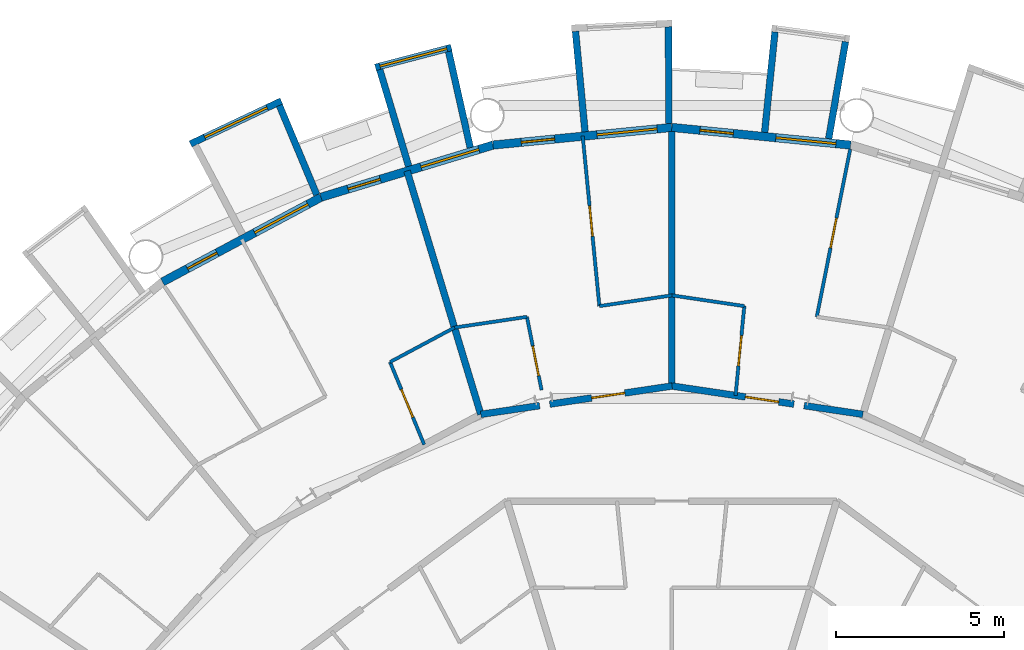
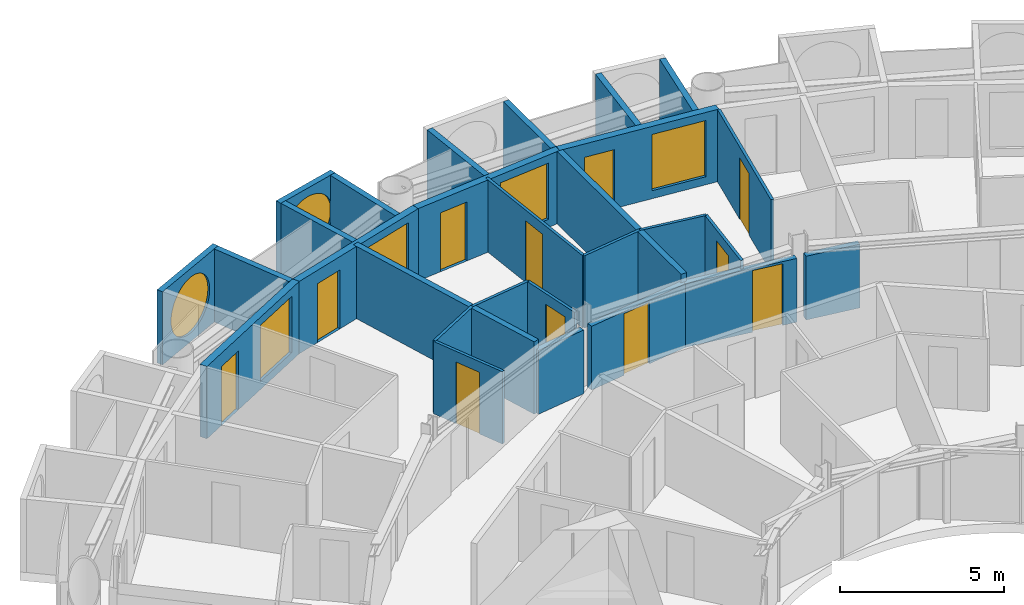
# One storey, part 20 of 26: 28 walls, 11 doors, 6 windows, 17 openings.
"""IFC4 building model written with IfcOpenShell, lengths in metres."""

from ifc_helpers import new_model, si_unit, direction, frame, frame_2d, origin, place, context, subcontext, project, spatial, rectangle, circle, extrude, material, layer, layer_set, type_object, element, fill, save


model = new_model("IFC4")

# Units and contexts
model_context = context("Model", 3, precision=1e-05, world=origin(), true_north=direction((0.0, 1.0)))
body_context = subcontext(model_context, "Body", "Model", "MODEL_VIEW")
ifc_project = project(units=[si_unit("LENGTHUNIT", "METRE"), si_unit("AREAUNIT", "SQUARE_METRE"), si_unit("VOLUMEUNIT", "CUBIC_METRE"), si_unit("PLANEANGLEUNIT", "RADIAN"), si_unit("MASSUNIT", "GRAM", prefix="KILO")], contexts=[model_context])

# Site, building, storey
site_placement = place(None, origin())
site = spatial("IfcSite", under=ifc_project, at=site_placement, CompositionType="ELEMENT")
building_placement = place(site_placement, origin())
building = spatial("IfcBuilding", under=site, at=building_placement, Name="Maasbend Ring Residences", CompositionType="ELEMENT")
storey_placement = place(building_placement, frame((0.0, 0.0, 78.85009765625)))
storey = spatial("IfcBuildingStorey", under=building, at=storey_placement, Name="L22", CompositionType="ELEMENT", Elevation=78.85009765625)

# Wall
ifc_material_1 = material(Name="Concrete C30/37", Category="concrete")
ifc_layer_1 = layer(ifc_material_1, 0.199951171875)
ifc_layer_set_1 = layer_set([ifc_layer_1], Name="Concrete C30/37")
wall_type_1 = type_object("IfcWallType", Name="CORRIDOR WALL 200 CONCRETE", PredefinedType="PARTITIONING", material=ifc_layer_set_1)
wall_1_placement = place(storey_placement, frame((-5.68994140625, 18.756103515625, 0.0), z_axis=(0.0, 0.0, 1.0), x_axis=(0.989265547993, 0.146128968906, 0.0)))
element("IfcWall", 1, at=wall_1_placement, inside=storey, type_object=wall_type_1, Name="U-L22-w110", PredefinedType="PARTITIONING", context=body_context, shape_type="SweptSolid", body=[
    extrude(rectangle(XDim=1.77099609375, YDim=0.199951171875, at=frame_2d((0.885498046875, 0.0))), origin(), (0.0, 0.0, 1.0), 2.3798828125),
])

# Wall, opening, door
wall_2_placement = place(storey_placement, frame((-3.635009765625, 19.06005859375, 0.0), z_axis=(0.0, 0.0, 1.0), x_axis=(0.989179233347, 0.14671211373, 0.0)))
wall_2 = element("IfcWall", 2, at=wall_2_placement, inside=storey, type_object=wall_type_1, Name="U-L22-w111", PredefinedType="PARTITIONING", context=body_context, shape_type="SweptSolid", body=[
    extrude(rectangle(XDim=3.680908203125, YDim=0.199951171875, at=frame_2d((1.84033203125, 0.0))), origin(), (0.0, 0.0, 1.0), 2.3798828125),
])
opening_1_placement = place(wall_2_placement, frame((1.258056640625, 0.0, 0.0)))
opening_1 = element("IfcOpeningElement", 3, at=opening_1_placement, cuts=wall_2, Name="Opening D-2211", PredefinedType="OPENING", context=body_context, shape_type="SweptSolid", body=[
    extrude(rectangle(XDim=1.0, YDim=2.300048828125, at=frame_2d((0.5, 1.14990234375))), frame((0.0, 0.10986328125, 0.0), z_axis=(0.0, -1.0, 0.0), x_axis=(1.0, 0.0, 0.0)), (0.0, 0.0, 1.0), 0.219970703125),
])
ifc_material_2 = material(Name="Timber, fire-rated, painted", Category="wood")
door_type_1 = type_object("IfcDoorType", Name="FLAT ENTRANCE DOOR 1000 X 2300 FIRE-RATED", OperationType="NOTDEFINED", PredefinedType="DOOR", material=ifc_material_2)
door_1_placement = place(opening_1_placement, origin())
door_1 = element("IfcDoor", 4, at=door_1_placement, inside=storey, type_object=door_type_1, Name="D-2211", OperationType="SINGLE_SWING_LEFT", OverallHeight=2.300048828125, OverallWidth=1.0, PredefinedType="DOOR", context=body_context, shape_type="SweptSolid", body=[
    extrude(rectangle(XDim=1.0, YDim=2.300048828125, at=frame_2d((0.5, 1.14990234375))), frame((0.0, 0.02490234375, 0.0), z_axis=(0.0, -1.0, 0.0), x_axis=(1.0, 0.0, 0.0)), (0.0, 0.0, 1.0), 0.050048828125),
])
fill(opening_1, door_1)

wall_3_placement = place(storey_placement, frame((0.0, 19.60009765625, 0.0), z_axis=(0.0, 0.0, 1.0), x_axis=(0.989182049247, -0.146693126787, 0.0)))
wall_3 = element("IfcWall", 5, at=wall_3_placement, inside=storey, type_object=wall_type_1, Name="U-L22-w112", PredefinedType="PARTITIONING", context=body_context, shape_type="SweptSolid", body=[
    extrude(rectangle(XDim=3.6748046875, YDim=0.199951171875, at=frame_2d((1.83740234375, 0.0))), origin(), (0.0, 0.0, 1.0), 2.3798828125),
])
opening_2_placement = place(wall_3_placement, frame((2.216064453125, 0.0, 0.0)))
opening_2 = element("IfcOpeningElement", 6, at=opening_2_placement, cuts=wall_3, Name="Opening D-2208", PredefinedType="OPENING", context=body_context, shape_type="SweptSolid", body=[
    extrude(rectangle(XDim=1.0, YDim=2.300048828125, at=frame_2d((0.5, 1.14990234375))), frame((0.0, 0.10986328125, 0.0), z_axis=(0.0, -1.0, 0.0), x_axis=(1.0, 0.0, 0.0)), (0.0, 0.0, 1.0), 0.219970703125),
])
door_2_placement = place(opening_2_placement, origin())
door_2 = element("IfcDoor", 7, at=door_2_placement, inside=storey, type_object=door_type_1, Name="D-2208", OperationType="SINGLE_SWING_RIGHT", OverallHeight=2.300048828125, OverallWidth=1.0, PredefinedType="DOOR", context=body_context, shape_type="SweptSolid", body=[
    extrude(rectangle(XDim=1.0, YDim=2.300048828125, at=frame_2d((0.5, 1.14990234375))), frame((0.0, 0.02490234375, 0.0), z_axis=(0.0, -1.0, 0.0), x_axis=(1.0, 0.0, 0.0)), (0.0, 0.0, 1.0), 0.050048828125),
])
fill(opening_2, door_2)

# Walls
wall_4_placement = place(storey_placement, frame((3.93896484375, 19.01611328125, 0.0), z_axis=(0.0, 0.0, 1.0), x_axis=(0.989153791914, -0.146883545509, 0.0)))
element("IfcWall", 8, at=wall_4_placement, inside=storey, type_object=wall_type_1, Name="U-L22-w113", PredefinedType="PARTITIONING", context=body_context, shape_type="SweptSolid", body=[
    extrude(rectangle(XDim=1.770263671875, YDim=0.199951171875, at=frame_2d((0.88525390625, 0.0))), origin(), (0.0, 0.0, 1.0), 2.3798828125),
])
ifc_material_3 = material(Name="Pale anodised aluminium panel", Category="aluminium")
ifc_layer_2 = layer(ifc_material_3, 0.199951171875)
ifc_layer_set_2 = layer_set([ifc_layer_2], Name="EW-BOX")
wall_type_2 = type_object("IfcWallType", Name="EW-BOX", PredefinedType="SOLIDWALL", material=ifc_layer_set_2)
wall_5_placement = place(storey_placement, frame((4.6708984375, 26.966064453125, -0.030029296875), z_axis=(0.0, 0.0, 1.0), x_axis=(0.170539878907, 0.985350774954, 0.0)))
element("IfcWall", 9, at=wall_5_placement, inside=storey, type_object=wall_type_2, Name="Box side wall N09 left", PredefinedType="SOLIDWALL", context=body_context, shape_type="SweptSolid", body=[
    extrude(rectangle(XDim=2.931884765625, YDim=0.199951171875, at=frame_2d((1.4658203125, 0.0))), origin(), (0.0, 0.0, 1.0), 2.72998046875),
])
wall_6_placement = place(storey_placement, frame((2.763916015625, 27.153076171875, -0.030029296875), z_axis=(0.0, 0.0, 1.0), x_axis=(0.101505487237, 0.994834979311, 0.0)))
element("IfcWall", 10, at=wall_6_placement, inside=storey, type_object=wall_type_2, Name="Box side wall N09 right", PredefinedType="SOLIDWALL", context=body_context, shape_type="SweptSolid", body=[
    extrude(rectangle(XDim=3.006591796875, YDim=0.199951171875, at=frame_2d((1.50341796875, 0.0))), origin(), (0.0, 0.0, 1.0), 2.72998046875),
])
wall_7_placement = place(storey_placement, frame((-0.090087890625, 27.4169921875, -0.030029296875), z_axis=(0.0, 0.0, 1.0), x_axis=(-0.00347308367, 0.999993968827, 0.0)))
element("IfcWall", 11, at=wall_7_placement, inside=storey, type_object=wall_type_2, Name="Box side wall N11 left", PredefinedType="SOLIDWALL", context=body_context, shape_type="SweptSolid", body=[
    extrude(rectangle(XDim=2.882080078125, YDim=0.199951171875, at=frame_2d((1.44091796875, 0.0))), origin(), (0.0, 0.0, 1.0), 2.72998046875),
])
wall_8_placement = place(storey_placement, frame((-2.5859375, 27.1708984375, -0.030029296875), z_axis=(0.0, 0.0, 1.0), x_axis=(-0.094548432284, 0.995520262954, 0.0)))
element("IfcWall", 12, at=wall_8_placement, inside=storey, type_object=wall_type_2, Name="Box side wall N11 right", PredefinedType="SOLIDWALL", context=body_context, shape_type="SweptSolid", body=[
    extrude(rectangle(XDim=3.005615234375, YDim=0.199951171875, at=frame_2d((1.5029296875, 0.0))), origin(), (0.0, 0.0, 1.0), 2.72998046875),
])

# Wall, opening, window
wall_9_placement = place(storey_placement, frame((-6.568115234375, 29.681884765625, -0.030029296875), z_axis=(0.0, 0.0, 1.0), x_axis=(-0.967377102346, -0.253340762326, 0.0)))
wall_9 = element("IfcWall", 13, at=wall_9_placement, inside=storey, type_object=wall_type_2, Name="Box front N13", PredefinedType="SOLIDWALL", context=body_context, shape_type="SweptSolid", body=[
    extrude(rectangle(XDim=2.3359375, YDim=0.199951171875, at=frame_2d((1.16796875, 0.0))), origin(), (0.0, 0.0, 1.0), 2.72998046875),
])
opening_3_placement = place(wall_9_placement, frame((0.128173828125, 0.0, 0.330078125)))
opening_3 = element("IfcOpeningElement", 14, at=opening_3_placement, cuts=wall_9, Name="Opening W-RD", PredefinedType="OPENING", context=body_context, shape_type="SweptSolid", body=[
    extrude(circle(Radius=1.0400390625, at=frame_2d((1.0400390625, 1.0400390625))), frame((0.0, 0.10986328125, 0.0), z_axis=(0.0, -1.0, 0.0), x_axis=(1.0, 0.0, 0.0)), (0.0, 0.0, 1.0), 0.219970703125),
])
ifc_material_4 = material(Name="Aluminium and clear glass", Category="aluminium")
window_type_1 = type_object("IfcWindowType", Name="W-RD", PartitioningType="SINGLE_PANEL", PredefinedType="WINDOW", material=ifc_material_4)
window_1_placement = place(opening_3_placement, origin())
window_1 = element("IfcWindow", 15, at=window_1_placement, inside=storey, type_object=window_type_1, Name="Round window N13", OverallHeight=2.080078125, OverallWidth=2.080078125, PartitioningType="SINGLE_PANEL", PredefinedType="WINDOW", context=body_context, shape_type="SweptSolid", body=[
    extrude(circle(Radius=1.0400390625, at=frame_2d((1.0400390625, 1.0400390625))), frame((0.0, 0.030029296875, 0.0), z_axis=(0.0, -1.0, 0.0), x_axis=(1.0, 0.0, 0.0)), (0.0, 0.0, 1.0), 0.06005859375),
])
fill(opening_3, window_1)

# Walls
wall_10_placement = place(storey_placement, frame((-6.00390625, 26.699951171875, -0.030029296875), z_axis=(0.0, 0.0, 1.0), x_axis=(-0.219609259383, 0.975587911566, 0.0)))
element("IfcWall", 16, at=wall_10_placement, inside=storey, type_object=wall_type_2, Name="Box side wall N13 left", PredefinedType="SOLIDWALL", context=body_context, shape_type="SweptSolid", body=[
    extrude(rectangle(XDim=2.9326171875, YDim=0.199951171875, at=frame_2d((1.46630859375, 0.0))), origin(), (0.0, 0.0, 1.0), 2.72998046875),
])
wall_11_placement = place(storey_placement, frame((-7.8369140625, 26.14404296875, -0.030029296875), z_axis=(0.0, 0.0, 1.0), x_axis=(-0.287064767992, 0.957911174889, 0.0)))
element("IfcWall", 17, at=wall_11_placement, inside=storey, type_object=wall_type_2, Name="Box side wall N13 right", PredefinedType="SOLIDWALL", context=body_context, shape_type="SweptSolid", body=[
    extrude(rectangle(XDim=3.00634765625, YDim=0.199951171875, at=frame_2d((1.503173828125, 0.0))), origin(), (0.0, 0.0, 1.0), 2.72998046875),
])

# Wall, opening, window
wall_12_placement = place(storey_placement, frame((-11.62890625, 28.087890625, -0.030029296875), z_axis=(0.0, 0.0, 1.0), x_axis=(-0.904000060331, -0.427532327342, 0.0)))
wall_12 = element("IfcWall", 18, at=wall_12_placement, inside=storey, type_object=wall_type_2, Name="Box front N15", PredefinedType="SOLIDWALL", context=body_context, shape_type="SweptSolid", body=[
    extrude(rectangle(XDim=2.993408203125, YDim=0.199951171875, at=frame_2d((1.49658203125, 0.0))), origin(), (0.0, 0.0, 1.0), 2.72998046875),
])
opening_4_placement = place(wall_12_placement, frame((0.45654296875, 0.0, 0.330078125)))
opening_4 = element("IfcOpeningElement", 19, at=opening_4_placement, cuts=wall_12, Name="Opening W-RD", PredefinedType="OPENING", context=body_context, shape_type="SweptSolid", body=[
    extrude(circle(Radius=1.0400390625, at=frame_2d((1.0400390625, 1.0400390625))), frame((0.0, 0.10986328125, 0.0), z_axis=(0.0, -1.0, 0.0), x_axis=(1.0, 0.0, 0.0)), (0.0, 0.0, 1.0), 0.219970703125),
])
window_2_placement = place(opening_4_placement, origin())
window_2 = element("IfcWindow", 20, at=window_2_placement, inside=storey, type_object=window_type_1, Name="Round window N15", OverallHeight=2.080078125, OverallWidth=2.080078125, PartitioningType="SINGLE_PANEL", PredefinedType="WINDOW", context=body_context, shape_type="SweptSolid", body=[
    extrude(circle(Radius=1.0400390625, at=frame_2d((1.0400390625, 1.0400390625))), frame((0.0, 0.030029296875, 0.0), z_axis=(0.0, -1.0, 0.0), x_axis=(1.0, 0.0, 0.0)), (0.0, 0.0, 1.0), 0.06005859375),
])
fill(opening_4, window_2)

# Wall
wall_13_placement = place(storey_placement, frame((-10.574951171875, 25.294921875, -0.030029296875), z_axis=(0.0, 0.0, 1.0), x_axis=(-0.385697364644, 0.922625353492, 0.0)))
element("IfcWall", 21, at=wall_13_placement, inside=storey, type_object=wall_type_2, Name="Box side wall N15 left", PredefinedType="SOLIDWALL", context=body_context, shape_type="SweptSolid", body=[
    extrude(rectangle(XDim=2.88330078125, YDim=0.199951171875, at=frame_2d((1.441650390625, 0.0))), origin(), (0.0, 0.0, 1.0), 2.72998046875),
])

# Wall, openings, door, window
ifc_material_5 = material(Name="Aluminium clad insulated panel", Category="aluminium")
ifc_layer_3 = layer(ifc_material_5, 0.25)
ifc_layer_set_3 = layer_set([ifc_layer_3], Name="EW-GL")
wall_type_3 = type_object("IfcWallType", Name="EW-GL", PredefinedType="SOLIDWALL", material=ifc_layer_set_3)
wall_14_placement = place(storey_placement, frame((5.325927734375, 26.77490234375, 0.0), z_axis=(0.0, 0.0, 1.0), x_axis=(-0.995173996315, 0.098126026407, 0.0)))
wall_14 = element("IfcWall", 22, at=wall_14_placement, inside=storey, type_object=wall_type_3, Name="External wall N05", PredefinedType="SOLIDWALL", context=body_context, shape_type="SweptSolid", body=[
    extrude(rectangle(XDim=5.351806640625, YDim=0.25, at=frame_2d((2.67578125, 0.0))), origin(), (0.0, 0.0, 1.0), 2.699951171875),
])
opening_5_placement = place(wall_14_placement, frame((0.441162109375, 0.0, 0.300048828125)))
opening_5 = element("IfcOpeningElement", 23, at=opening_5_placement, cuts=wall_14, Name="Opening W-BX", PredefinedType="OPENING", context=body_context, shape_type="SweptSolid", body=[
    extrude(rectangle(XDim=1.800048828125, YDim=2.10009765625, at=frame_2d((0.89990234375, 1.050048828125))), frame((0.0, 0.135009765625, 0.0), z_axis=(0.0, -1.0, 0.0), x_axis=(1.0, 0.0, 0.0)), (0.0, 0.0, 1.0), 0.27001953125),
])
opening_6_placement = place(wall_14_placement, frame((3.510498046875, 0.0, 0.0)))
opening_6 = element("IfcOpeningElement", 24, at=opening_6_placement, cuts=wall_14, Name="Opening D-LG", PredefinedType="OPENING", context=body_context, shape_type="SweptSolid", body=[
    extrude(rectangle(XDim=1.0, YDim=2.199951171875, at=frame_2d((0.5, 1.10009765625))), frame((0.0, 0.135009765625, 0.0), z_axis=(0.0, -1.0, 0.0), x_axis=(1.0, 0.0, 0.0)), (0.0, 0.0, 1.0), 0.27001953125),
])
ifc_material_6 = material(Name="Aluminium and clear glass", Category="aluminium")
door_type_2 = type_object("IfcDoorType", Name="D-LG", OperationType="SINGLE_SWING_LEFT", PredefinedType="DOOR", material=ifc_material_6)
door_3_placement = place(opening_6_placement, origin())
door_3 = element("IfcDoor", 25, at=door_3_placement, inside=storey, type_object=door_type_2, Name="Loggia door N10", OperationType="SINGLE_SWING_LEFT", OverallHeight=2.199951171875, OverallWidth=1.0, PredefinedType="DOOR", context=body_context, shape_type="SweptSolid", body=[
    extrude(rectangle(XDim=1.0, YDim=2.199951171875, at=frame_2d((0.5, 1.10009765625))), frame((0.0, 0.02490234375, 0.0), z_axis=(0.0, -1.0, 0.0), x_axis=(1.0, 0.0, 0.0)), (0.0, 0.0, 1.0), 0.050048828125),
])
fill(opening_6, door_3)
ifc_material_7 = material(Name="Aluminium and clear glass", Category="aluminium")
window_type_2 = type_object("IfcWindowType", Name="W-BX", PartitioningType="DOUBLE_PANEL_VERTICAL", PredefinedType="WINDOW", material=ifc_material_7)
window_3_placement = place(opening_5_placement, origin())
window_3 = element("IfcWindow", 26, at=window_3_placement, inside=storey, type_object=window_type_2, Name="Window N09 room to box", OverallHeight=2.10009765625, OverallWidth=1.800048828125, PartitioningType="SINGLE_PANEL", PredefinedType="WINDOW", context=body_context, shape_type="SweptSolid", body=[
    extrude(rectangle(XDim=1.800048828125, YDim=2.10009765625, at=frame_2d((0.89990234375, 1.050048828125))), frame((0.0, 0.030029296875, 0.0), z_axis=(0.0, -1.0, 0.0), x_axis=(1.0, 0.0, 0.0)), (0.0, 0.0, 1.0), 0.06005859375),
])
fill(opening_5, window_3)

wall_15_placement = place(storey_placement, frame((0.0, 27.300048828125, 0.0), z_axis=(0.0, 0.0, 1.0), x_axis=(-0.995173996315, -0.098126026407, 0.0)))
wall_15 = element("IfcWall", 27, at=wall_15_placement, inside=storey, type_object=wall_type_3, Name="External wall N06", PredefinedType="SOLIDWALL", context=body_context, shape_type="SweptSolid", body=[
    extrude(rectangle(XDim=5.351806640625, YDim=0.25, at=frame_2d((2.67578125, 0.0))), origin(), (0.0, 0.0, 1.0), 2.699951171875),
])
opening_7_placement = place(wall_15_placement, frame((0.441162109375, 0.0, 0.300048828125)))
opening_7 = element("IfcOpeningElement", 28, at=opening_7_placement, cuts=wall_15, Name="Opening W-BX", PredefinedType="OPENING", context=body_context, shape_type="SweptSolid", body=[
    extrude(rectangle(XDim=1.800048828125, YDim=2.10009765625, at=frame_2d((0.89990234375, 1.050048828125))), frame((0.0, 0.135009765625, 0.0), z_axis=(0.0, -1.0, 0.0), x_axis=(1.0, 0.0, 0.0)), (0.0, 0.0, 1.0), 0.27001953125),
])
opening_8_placement = place(wall_15_placement, frame((3.510498046875, 0.0, 0.0)))
opening_8 = element("IfcOpeningElement", 29, at=opening_8_placement, cuts=wall_15, Name="Opening D-LG", PredefinedType="OPENING", context=body_context, shape_type="SweptSolid", body=[
    extrude(rectangle(XDim=1.0, YDim=2.199951171875, at=frame_2d((0.5, 1.10009765625))), frame((0.0, 0.135009765625, 0.0), z_axis=(0.0, -1.0, 0.0), x_axis=(1.0, 0.0, 0.0)), (0.0, 0.0, 1.0), 0.27001953125),
])
door_4_placement = place(opening_8_placement, origin())
door_4 = element("IfcDoor", 30, at=door_4_placement, inside=storey, type_object=door_type_2, Name="Loggia door N12", OperationType="SINGLE_SWING_LEFT", OverallHeight=2.199951171875, OverallWidth=1.0, PredefinedType="DOOR", context=body_context, shape_type="SweptSolid", body=[
    extrude(rectangle(XDim=1.0, YDim=2.199951171875, at=frame_2d((0.5, 1.10009765625))), frame((0.0, 0.02490234375, 0.0), z_axis=(0.0, -1.0, 0.0), x_axis=(1.0, 0.0, 0.0)), (0.0, 0.0, 1.0), 0.050048828125),
])
fill(opening_8, door_4)
window_4_placement = place(opening_7_placement, origin())
window_4 = element("IfcWindow", 31, at=window_4_placement, inside=storey, type_object=window_type_2, Name="Window N11 room to box", OverallHeight=2.10009765625, OverallWidth=1.800048828125, PartitioningType="SINGLE_PANEL", PredefinedType="WINDOW", context=body_context, shape_type="SweptSolid", body=[
    extrude(rectangle(XDim=1.800048828125, YDim=2.10009765625, at=frame_2d((0.89990234375, 1.050048828125))), frame((0.0, 0.030029296875, 0.0), z_axis=(0.0, -1.0, 0.0), x_axis=(1.0, 0.0, 0.0)), (0.0, 0.0, 1.0), 0.06005859375),
])
fill(opening_7, window_4)

wall_16_placement = place(storey_placement, frame((-5.325927734375, 26.77490234375, 0.0), z_axis=(0.0, 0.0, 1.0), x_axis=(-0.956965678721, -0.290201119486, 0.0)))
wall_16 = element("IfcWall", 32, at=wall_16_placement, inside=storey, type_object=wall_type_3, Name="External wall N07", PredefinedType="SOLIDWALL", context=body_context, shape_type="SweptSolid", body=[
    extrude(rectangle(XDim=5.351318359375, YDim=0.25, at=frame_2d((2.67578125, 0.0))), origin(), (0.0, 0.0, 1.0), 2.699951171875),
])
opening_9_placement = place(wall_16_placement, frame((0.441162109375, 0.0, 0.300048828125)))
opening_9 = element("IfcOpeningElement", 33, at=opening_9_placement, cuts=wall_16, Name="Opening W-BX", PredefinedType="OPENING", context=body_context, shape_type="SweptSolid", body=[
    extrude(rectangle(XDim=1.800048828125, YDim=2.10009765625, at=frame_2d((0.89990234375, 1.050048828125))), frame((0.0, 0.135009765625, 0.0), z_axis=(0.0, -1.0, 0.0), x_axis=(1.0, 0.0, 0.0)), (0.0, 0.0, 1.0), 0.27001953125),
])
opening_10_placement = place(wall_16_placement, frame((3.510498046875, 0.0, 0.0)))
opening_10 = element("IfcOpeningElement", 34, at=opening_10_placement, cuts=wall_16, Name="Opening D-LG", PredefinedType="OPENING", context=body_context, shape_type="SweptSolid", body=[
    extrude(rectangle(XDim=1.0, YDim=2.199951171875, at=frame_2d((0.5, 1.10009765625))), frame((0.0, 0.135009765625, 0.0), z_axis=(0.0, -1.0, 0.0), x_axis=(1.0, 0.0, 0.0)), (0.0, 0.0, 1.0), 0.27001953125),
])
door_5_placement = place(opening_10_placement, origin())
door_5 = element("IfcDoor", 35, at=door_5_placement, inside=storey, type_object=door_type_2, Name="Loggia door N14", OperationType="SINGLE_SWING_LEFT", OverallHeight=2.199951171875, OverallWidth=1.0, PredefinedType="DOOR", context=body_context, shape_type="SweptSolid", body=[
    extrude(rectangle(XDim=1.0, YDim=2.199951171875, at=frame_2d((0.5, 1.10009765625))), frame((0.0, 0.02490234375, 0.0), z_axis=(0.0, -1.0, 0.0), x_axis=(1.0, 0.0, 0.0)), (0.0, 0.0, 1.0), 0.050048828125),
])
fill(opening_10, door_5)
window_5_placement = place(opening_9_placement, origin())
window_5 = element("IfcWindow", 36, at=window_5_placement, inside=storey, type_object=window_type_2, Name="Window N13 room to box", OverallHeight=2.10009765625, OverallWidth=1.800048828125, PartitioningType="SINGLE_PANEL", PredefinedType="WINDOW", context=body_context, shape_type="SweptSolid", body=[
    extrude(rectangle(XDim=1.800048828125, YDim=2.10009765625, at=frame_2d((0.89990234375, 1.050048828125))), frame((0.0, 0.030029296875, 0.0), z_axis=(0.0, -1.0, 0.0), x_axis=(1.0, 0.0, 0.0)), (0.0, 0.0, 1.0), 0.06005859375),
])
fill(opening_9, window_5)

wall_17_placement = place(storey_placement, frame((-10.447021484375, 25.221923828125, 0.0), z_axis=(0.0, 0.0, 1.0), x_axis=(-0.881915646801, -0.471407246368, 0.0)))
wall_17 = element("IfcWall", 37, at=wall_17_placement, inside=storey, type_object=wall_type_3, Name="External wall N08", PredefinedType="SOLIDWALL", context=body_context, shape_type="SweptSolid", body=[
    extrude(rectangle(XDim=5.35205078125, YDim=0.25, at=frame_2d((2.676025390625, 0.0))), origin(), (0.0, 0.0, 1.0), 2.699951171875),
])
opening_11_placement = place(wall_17_placement, frame((0.441162109375, 0.0, 0.300048828125)))
opening_11 = element("IfcOpeningElement", 38, at=opening_11_placement, cuts=wall_17, Name="Opening W-BX", PredefinedType="OPENING", context=body_context, shape_type="SweptSolid", body=[
    extrude(rectangle(XDim=1.800048828125, YDim=2.10009765625, at=frame_2d((0.89990234375, 1.050048828125))), frame((0.0, 0.135009765625, 0.0), z_axis=(0.0, -1.0, 0.0), x_axis=(1.0, 0.0, 0.0)), (0.0, 0.0, 1.0), 0.27001953125),
])
opening_12_placement = place(wall_17_placement, frame((3.510498046875, 0.0, 0.0)))
opening_12 = element("IfcOpeningElement", 39, at=opening_12_placement, cuts=wall_17, Name="Opening D-LG", PredefinedType="OPENING", context=body_context, shape_type="SweptSolid", body=[
    extrude(rectangle(XDim=1.0, YDim=2.199951171875, at=frame_2d((0.5, 1.10009765625))), frame((0.0, 0.135009765625, 0.0), z_axis=(0.0, -1.0, 0.0), x_axis=(1.0, 0.0, 0.0)), (0.0, 0.0, 1.0), 0.27001953125),
])
door_6_placement = place(opening_12_placement, origin())
door_6 = element("IfcDoor", 40, at=door_6_placement, inside=storey, type_object=door_type_2, Name="Loggia door N16", OperationType="SINGLE_SWING_LEFT", OverallHeight=2.199951171875, OverallWidth=1.0, PredefinedType="DOOR", context=body_context, shape_type="SweptSolid", body=[
    extrude(rectangle(XDim=1.0, YDim=2.199951171875, at=frame_2d((0.5, 1.10009765625))), frame((0.0, 0.02490234375, 0.0), z_axis=(0.0, -1.0, 0.0), x_axis=(1.0, 0.0, 0.0)), (0.0, 0.0, 1.0), 0.050048828125),
])
fill(opening_12, door_6)
window_6_placement = place(opening_11_placement, origin())
window_6 = element("IfcWindow", 41, at=window_6_placement, inside=storey, type_object=window_type_2, Name="Window N15 room to box", OverallHeight=2.10009765625, OverallWidth=1.800048828125, PartitioningType="SINGLE_PANEL", PredefinedType="WINDOW", context=body_context, shape_type="SweptSolid", body=[
    extrude(rectangle(XDim=1.800048828125, YDim=2.10009765625, at=frame_2d((0.89990234375, 1.050048828125))), frame((0.0, 0.030029296875, 0.0), z_axis=(0.0, -1.0, 0.0), x_axis=(1.0, 0.0, 0.0)), (0.0, 0.0, 1.0), 0.06005859375),
])
fill(opening_11, window_6)

# Wall, opening, door
ifc_material_8 = material(Name="Gypsum board on steel studs", Category="steel")
ifc_layer_4 = layer(ifc_material_8, 0.10009765625)
ifc_layer_set_4 = layer_set([ifc_layer_4], Name="PARTITION 100 GYPSUM")
wall_type_4 = type_object("IfcWallType", Name="PARTITION 100 GYPSUM", PredefinedType="PARTITIONING", material=ifc_layer_set_4)
wall_18_placement = place(storey_placement, frame((-8.39208984375, 20.31396484375, 0.0), z_axis=(0.0, 0.0, 1.0), x_axis=(0.38190329031, -0.924202292169, 0.0)))
wall_18 = element("IfcWall", 42, at=wall_18_placement, inside=storey, type_object=wall_type_4, Name="U-L22-w053", PredefinedType="PARTITIONING", context=body_context, shape_type="SweptSolid", body=[
    extrude(rectangle(XDim=2.66064453125, YDim=0.10009765625, at=frame_2d((1.330322265625, 0.0))), origin(), (0.0, 0.0, 1.0), 2.699951171875),
])
opening_13_placement = place(wall_18_placement, frame((0.8798828125, 0.0, 0.0)))
opening_13 = element("IfcOpeningElement", 43, at=opening_13_placement, cuts=wall_18, Name="Opening D-2215", PredefinedType="OPENING", context=body_context, shape_type="SweptSolid", body=[
    extrude(rectangle(XDim=0.89990234375, YDim=2.300048828125, at=frame_2d((0.449951171875, 1.14990234375))), frame((0.0, 0.06005859375, 0.0), z_axis=(0.0, -1.0, 0.0), x_axis=(1.0, 0.0, 0.0)), (0.0, 0.0, 1.0), 0.1201171875),
])
ifc_material_9 = material(Name="Timber, painted", Category="wood")
door_type_3 = type_object("IfcDoorType", Name="INTERNAL DOOR 900 X 2300", OperationType="NOTDEFINED", PredefinedType="DOOR", material=ifc_material_9)
door_7_placement = place(opening_13_placement, origin())
door_7 = element("IfcDoor", 44, at=door_7_placement, inside=storey, type_object=door_type_3, Name="D-2215", OperationType="SINGLE_SWING_RIGHT", OverallHeight=2.300048828125, OverallWidth=0.89990234375, PredefinedType="DOOR", context=body_context, shape_type="SweptSolid", body=[
    extrude(rectangle(XDim=0.89990234375, YDim=2.300048828125, at=frame_2d((0.449951171875, 1.14990234375))), frame((0.0, 0.02490234375, 0.0), z_axis=(0.0, -1.0, 0.0), x_axis=(1.0, 0.0, 0.0)), (0.0, 0.0, 1.0), 0.050048828125),
])
fill(opening_13, door_7)

wall_19_placement = place(storey_placement, frame((-4.31591796875, 21.659912109375, 0.0), z_axis=(0.0, 0.0, 1.0), x_axis=(0.195524955938, -0.980698726218, 0.0)))
wall_19 = element("IfcWall", 45, at=wall_19_placement, inside=storey, type_object=wall_type_4, Name="U-L22-w059", PredefinedType="PARTITIONING", context=body_context, shape_type="SweptSolid", body=[
    extrude(rectangle(XDim=2.223876953125, YDim=0.10009765625, at=frame_2d((1.11181640625, 0.0))), origin(), (0.0, 0.0, 1.0), 2.699951171875),
])
opening_14_placement = place(wall_19_placement, frame((0.886962890625, 0.0, 0.0)))
opening_14 = element("IfcOpeningElement", 46, at=opening_14_placement, cuts=wall_19, Name="Opening D-2212", PredefinedType="OPENING", context=body_context, shape_type="SweptSolid", body=[
    extrude(rectangle(XDim=0.89990234375, YDim=2.300048828125, at=frame_2d((0.449951171875, 1.14990234375))), frame((0.0, 0.06005859375, 0.0), z_axis=(0.0, -1.0, 0.0), x_axis=(1.0, 0.0, 0.0)), (0.0, 0.0, 1.0), 0.1201171875),
])
door_8_placement = place(opening_14_placement, origin())
door_8 = element("IfcDoor", 47, at=door_8_placement, inside=storey, type_object=door_type_3, Name="D-2212", OperationType="SINGLE_SWING_RIGHT", OverallHeight=2.300048828125, OverallWidth=0.89990234375, PredefinedType="DOOR", context=body_context, shape_type="SweptSolid", body=[
    extrude(rectangle(XDim=0.89990234375, YDim=2.300048828125, at=frame_2d((0.449951171875, 1.14990234375))), frame((0.0, 0.02490234375, 0.0), z_axis=(0.0, -1.0, 0.0), x_axis=(1.0, 0.0, 0.0)), (0.0, 0.0, 1.0), 0.050048828125),
])
fill(opening_14, door_8)

wall_20_placement = place(storey_placement, frame((-2.655029296875, 27.044921875, 0.0), z_axis=(0.0, 0.0, 1.0), x_axis=(0.097670180016, -0.995218838214, 0.0)))
wall_20 = element("IfcWall", 48, at=wall_20_placement, inside=storey, type_object=wall_type_4, Name="U-L22-w061", PredefinedType="PARTITIONING", context=body_context, shape_type="SweptSolid", body=[
    extrude(rectangle(XDim=5.08935546875, YDim=0.10009765625, at=frame_2d((2.544677734375, 0.0))), origin(), (0.0, 0.0, 1.0), 2.699951171875),
])
opening_15_placement = place(wall_20_placement, frame((2.094970703125, 0.0, 0.0)))
opening_15 = element("IfcOpeningElement", 49, at=opening_15_placement, cuts=wall_20, Name="Opening D-2213", PredefinedType="OPENING", context=body_context, shape_type="SweptSolid", body=[
    extrude(rectangle(XDim=0.89990234375, YDim=2.300048828125, at=frame_2d((0.449951171875, 1.14990234375))), frame((0.0, 0.06005859375, 0.0), z_axis=(0.0, -1.0, 0.0), x_axis=(1.0, 0.0, 0.0)), (0.0, 0.0, 1.0), 0.1201171875),
])
door_9_placement = place(opening_15_placement, origin())
door_9 = element("IfcDoor", 50, at=door_9_placement, inside=storey, type_object=door_type_3, Name="D-2213", OperationType="SINGLE_SWING_RIGHT", OverallHeight=2.300048828125, OverallWidth=0.89990234375, PredefinedType="DOOR", context=body_context, shape_type="SweptSolid", body=[
    extrude(rectangle(XDim=0.89990234375, YDim=2.300048828125, at=frame_2d((0.449951171875, 1.14990234375))), frame((0.0, 0.02490234375, 0.0), z_axis=(0.0, -1.0, 0.0), x_axis=(1.0, 0.0, 0.0)), (0.0, 0.0, 1.0), 0.050048828125),
])
fill(opening_15, door_9)

wall_21_placement = place(storey_placement, frame((1.89697265625, 19.319091796875, 0.0), z_axis=(0.0, 0.0, 1.0), x_axis=(0.097613985845, 0.995224351474, 0.0)))
wall_21 = element("IfcWall", 51, at=wall_21_placement, inside=storey, type_object=wall_type_4, Name="U-L22-w070", PredefinedType="PARTITIONING", context=body_context, shape_type="SweptSolid", body=[
    extrude(rectangle(XDim=2.673583984375, YDim=0.10009765625, at=frame_2d((1.3369140625, 0.0))), origin(), (0.0, 0.0, 1.0), 2.699951171875),
])
opening_16_placement = place(wall_21_placement, frame((0.886962890625, 0.0, 0.0)))
opening_16 = element("IfcOpeningElement", 52, at=opening_16_placement, cuts=wall_21, Name="Opening D-2209", PredefinedType="OPENING", context=body_context, shape_type="SweptSolid", body=[
    extrude(rectangle(XDim=0.89990234375, YDim=2.300048828125, at=frame_2d((0.449951171875, 1.14990234375))), frame((0.0, 0.06005859375, 0.0), z_axis=(0.0, -1.0, 0.0), x_axis=(1.0, 0.0, 0.0)), (0.0, 0.0, 1.0), 0.1201171875),
])
door_10_placement = place(opening_16_placement, origin())
door_10 = element("IfcDoor", 53, at=door_10_placement, inside=storey, type_object=door_type_3, Name="D-2209", OperationType="SINGLE_SWING_RIGHT", OverallHeight=2.300048828125, OverallWidth=0.89990234375, PredefinedType="DOOR", context=body_context, shape_type="SweptSolid", body=[
    extrude(rectangle(XDim=0.89990234375, YDim=2.300048828125, at=frame_2d((0.449951171875, 1.14990234375))), frame((0.0, 0.02490234375, 0.0), z_axis=(0.0, -1.0, 0.0), x_axis=(1.0, 0.0, 0.0)), (0.0, 0.0, 1.0), 0.050048828125),
])
fill(opening_16, door_10)

wall_22_placement = place(storey_placement, frame((4.31591796875, 21.659912109375, 0.0), z_axis=(0.0, 0.0, 1.0), x_axis=(0.195350335681, 0.980733524638, 0.0)))
wall_22 = element("IfcWall", 54, at=wall_22_placement, inside=storey, type_object=wall_type_4, Name="U-L22-w074", PredefinedType="PARTITIONING", context=body_context, shape_type="SweptSolid", body=[
    extrude(rectangle(XDim=5.089111328125, YDim=0.10009765625, at=frame_2d((2.54443359375, 0.0))), origin(), (0.0, 0.0, 1.0), 2.699951171875),
])
opening_17_placement = place(wall_22_placement, frame((2.094970703125, 0.0, 0.0)))
opening_17 = element("IfcOpeningElement", 55, at=opening_17_placement, cuts=wall_22, Name="Opening D-2210", PredefinedType="OPENING", context=body_context, shape_type="SweptSolid", body=[
    extrude(rectangle(XDim=0.89990234375, YDim=2.300048828125, at=frame_2d((0.449951171875, 1.14990234375))), frame((0.0, 0.06005859375, 0.0), z_axis=(0.0, -1.0, 0.0), x_axis=(1.0, 0.0, 0.0)), (0.0, 0.0, 1.0), 0.1201171875),
])
door_11_placement = place(opening_17_placement, origin())
door_11 = element("IfcDoor", 56, at=door_11_placement, inside=storey, type_object=door_type_3, Name="D-2210", OperationType="SINGLE_SWING_RIGHT", OverallHeight=2.300048828125, OverallWidth=0.89990234375, PredefinedType="DOOR", context=body_context, shape_type="SweptSolid", body=[
    extrude(rectangle(XDim=0.89990234375, YDim=2.300048828125, at=frame_2d((0.449951171875, 1.14990234375))), frame((0.0, 0.02490234375, 0.0), z_axis=(0.0, -1.0, 0.0), x_axis=(1.0, 0.0, 0.0)), (0.0, 0.0, 1.0), 0.050048828125),
])
fill(opening_17, door_11)

# Walls
wall_23_placement = place(storey_placement, frame((-8.39208984375, 20.31396484375, 0.0), z_axis=(0.0, 0.0, 1.0), x_axis=(0.881864921102, 0.471502132476, 0.0)))
element("IfcWall", 57, at=wall_23_placement, inside=storey, type_object=wall_type_4, Name="U-L22-w118", PredefinedType="PARTITIONING", context=body_context, shape_type="SweptSolid", body=[
    extrude(rectangle(XDim=2.17626953125, YDim=0.10009765625, at=frame_2d((1.088134765625, 0.0))), origin(), (0.0, 0.0, 1.0), 2.699951171875),
])
wall_24_placement = place(storey_placement, frame((-6.471923828125, 21.340087890625, 0.0), z_axis=(0.0, 0.0, 1.0), x_axis=(0.989185420695, 0.146670390618, 0.0)))
element("IfcWall", 58, at=wall_24_placement, inside=storey, type_object=wall_type_4, Name="U-L22-w123", PredefinedType="PARTITIONING", context=body_context, shape_type="SweptSolid", body=[
    extrude(rectangle(XDim=2.1806640625, YDim=0.10009765625, at=frame_2d((1.09033203125, 0.0))), origin(), (0.0, 0.0, 1.0), 2.699951171875),
])
for number, where, z_axis, x_axis, name in (
    (59, (-2.157958984375, 21.97998046875, 0.0), (0.0, 0.0, 1.0), (0.989178812998, 0.146714947827, 0.0), "U-L22-w124"),
    (60, (0.0, 22.300048828125, 0.0), (0.0, 0.0, 1.0), (0.989178812998, -0.146714947827, 0.0), "U-L22-w125"),
):
    element("IfcWall", number, at=place(storey_placement, frame(where, z_axis=z_axis, x_axis=x_axis)), inside=storey, type_object=wall_type_4, Name=name, PredefinedType="PARTITIONING", context=body_context, shape_type="SweptSolid", body=[
        extrude(rectangle(XDim=2.181640625, YDim=0.10009765625, at=frame_2d((1.0908203125, 0.0))), origin(), (0.0, 0.0, 1.0), 2.699951171875),
    ])
ifc_material_10 = material(Name="Concrete C30/37", Category="concrete")
ifc_layer_5 = layer(ifc_material_10, 0.199951171875)
ifc_layer_set_5 = layer_set([ifc_layer_5], Name="Concrete C30/37")
wall_type_5 = type_object("IfcWallType", Name="PARTY WALL 200 CONCRETE", PredefinedType="PARTITIONING", material=ifc_layer_set_5)
wall_25_placement = place(storey_placement, frame((-7.886962890625, 26.0048828125, 0.0), z_axis=(0.0, 0.0, 1.0), x_axis=(0.29005838641, -0.957008951094, 0.0)))
element("IfcWall", 61, at=wall_25_placement, inside=storey, type_object=wall_type_5, Name="U-L22-w033", PredefinedType="PARTITIONING", context=body_context, shape_type="SweptSolid", body=[
    extrude(rectangle(XDim=7.574462890625, YDim=0.199951171875, at=frame_2d((3.787109375, 0.0))), origin(), (0.0, 0.0, 1.0), 2.699951171875),
])
wall_26_placement = place(storey_placement, frame((0.0, 19.60009765625, 0.0), z_axis=(0.0, 0.0, 1.0), x_axis=(0.0, 1.0, 0.0)))
element("IfcWall", 62, at=wall_26_placement, inside=storey, type_object=wall_type_5, Name="U-L22-w066", PredefinedType="PARTITIONING", context=body_context, shape_type="SweptSolid", body=[
    extrude(rectangle(XDim=7.574951171875, YDim=0.199951171875, at=frame_2d((3.78759765625, 0.0))), origin(), (0.0, 0.0, 1.0), 2.699951171875),
])

save(model, "model.ifc")
